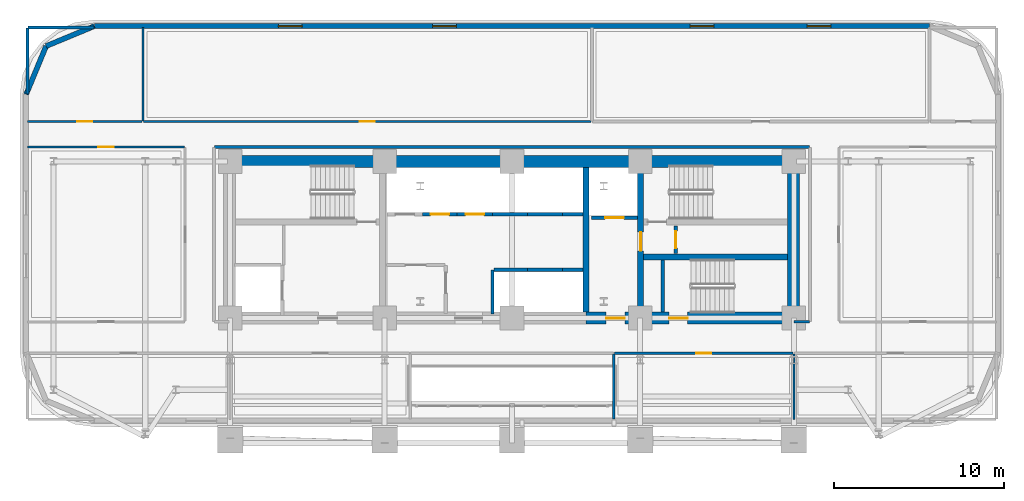
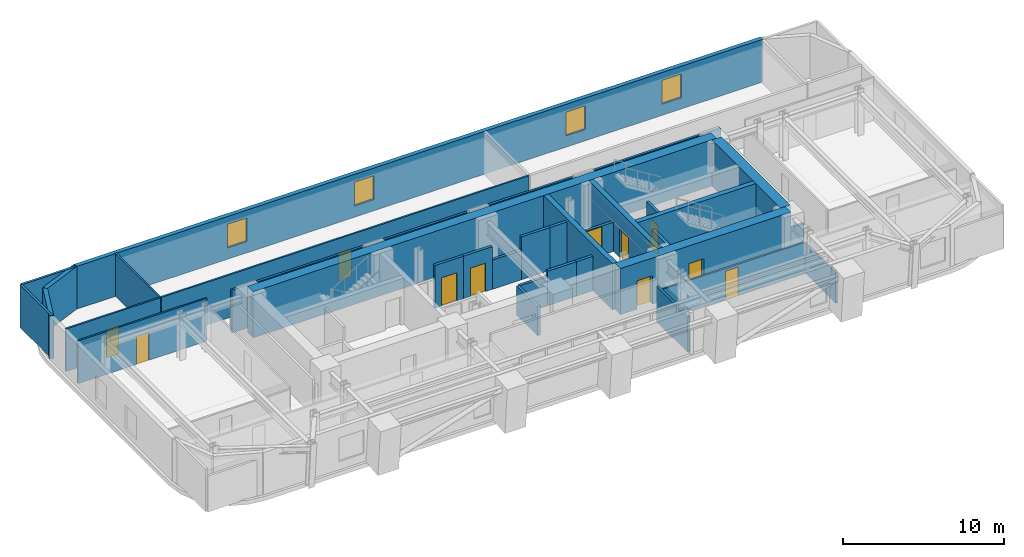
# One storey, part 9 of 14: 32 walls, 11 doors, 4 windows, 15 openings.
"""IFC4 building model written with IfcOpenShell, lengths in metres."""

from ifc_helpers import new_model, si_unit, direction, frame, frame_2d, origin, place, context, subcontext, project, spatial, rectangle, extrude, material, layer, layer_set, type_object, element, fill, save


model = new_model("IFC4")

# Units and contexts
model_context = context("Model", 3, precision=1e-05, world=origin(), true_north=direction((0.0, 1.0)))
body_context = subcontext(model_context, "Body", "Model", "MODEL_VIEW")
ifc_project = project(units=[si_unit("LENGTHUNIT", "METRE"), si_unit("AREAUNIT", "SQUARE_METRE"), si_unit("VOLUMEUNIT", "CUBIC_METRE"), si_unit("PLANEANGLEUNIT", "RADIAN"), si_unit("MASSUNIT", "GRAM", prefix="KILO")], contexts=[model_context])

# Site, building, storey
site_placement = place(None, origin())
site = spatial("IfcSite", under=ifc_project, at=site_placement, CompositionType="ELEMENT")
building_placement = place(site_placement, origin())
building = spatial("IfcBuilding", under=site, at=building_placement, Name="Zarnavel Station Tower", CompositionType="ELEMENT")
storey_placement = place(building_placement, frame((0.0, 0.0, 60.5)))
storey = spatial("IfcBuildingStorey", under=building, at=storey_placement, Name="L16", CompositionType="ELEMENT", Elevation=60.5)

# Wall
ifc_material_1 = material(Name="Concrete C50/60", Category="concrete")
ifc_layer_1 = layer(ifc_material_1, 0.35009765625)
ifc_layer_set_1 = layer_set([ifc_layer_1], Name="CW_350")
wall_type_1 = type_object("IfcWallType", Name="CW_350", PredefinedType="SHEAR", material=ifc_layer_set_1)
wall_1_placement = place(storey_placement, frame((33.14990234375, 28.169921875, 0.0), z_axis=(0.0, 0.0, 1.0), x_axis=(0.0, 1.0, 0.0)))
element("IfcWall", 1, at=wall_1_placement, inside=storey, type_object=wall_type_1, Name="L16 Rear Core Shear Wall DIV-E", PredefinedType="SHEAR", context=body_context, shape_type="SweptSolid", body=[
    extrude(rectangle(XDim=8.530029296875, YDim=0.35009765625, at=frame_2d((4.26513671875, 0.0))), origin(), (0.0, 0.0, 1.0), 3.5),
])

# Wall, opening, door
wall_2_placement = place(storey_placement, frame((36.3798828125, 28.169921875, 0.0), z_axis=(0.0, 0.0, 1.0), x_axis=(0.0, 1.0, 0.0)))
wall_2 = element("IfcWall", 2, at=wall_2_placement, inside=storey, type_object=wall_type_1, Name="L16 Rear Core Shear Wall DIV-S2", PredefinedType="SHEAR", context=body_context, shape_type="SweptSolid", body=[
    extrude(rectangle(XDim=8.530029296875, YDim=0.35009765625, at=frame_2d((4.26513671875, 0.0))), origin(), (0.0, 0.0, 1.0), 3.5),
])
opening_1_placement = place(wall_2_placement, frame((3.610107421875, 0.0, 0.0)))
opening_1 = element("IfcOpeningElement", 3, at=opening_1_placement, cuts=wall_2, Name="Opening FD01", PredefinedType="OPENING", context=body_context, shape_type="SweptSolid", body=[
    extrude(rectangle(XDim=1.10009765625, YDim=2.14990234375, at=frame_2d((0.550048828125, 1.074951171875))), frame((0.0, 0.18505859375, 0.0), z_axis=(0.0, -1.0, 0.0), x_axis=(1.0, 0.0, 0.0)), (0.0, 0.0, 1.0), 0.3701171875),
])
ifc_material_2 = material(Name="Painted Galvanised Steel and Hardwood Leaf", Category="steel")
door_type_1 = type_object("IfcDoorType", Name="ID_STAIR_1100", OperationType="NOTDEFINED", PredefinedType="DOOR", material=ifc_material_2)
door_1_placement = place(opening_1_placement, origin())
door_1 = element("IfcDoor", 4, at=door_1_placement, inside=storey, type_object=door_type_1, Name="L16 East Stair Vestibule Fire Door", OperationType="SINGLE_SWING_LEFT", OverallHeight=2.14990234375, OverallWidth=1.10009765625, PredefinedType="DOOR", context=body_context, shape_type="SweptSolid", body=[
    extrude(rectangle(XDim=1.10009765625, YDim=2.14990234375, at=frame_2d((0.550048828125, 1.074951171875))), frame((0.0, 0.02490234375, 0.0), z_axis=(0.0, -1.0, 0.0), x_axis=(1.0, 0.0, 0.0)), (0.0, 0.0, 1.0), 0.050048828125),
])
fill(opening_1, door_1)

# Walls
wall_3_placement = place(storey_placement, frame((36.554931640625, 31.419921875, 0.0), z_axis=(0.0, 0.0, 1.0), x_axis=(1.0, 0.0, 0.0)))
element("IfcWall", 5, at=wall_3_placement, inside=storey, type_object=wall_type_1, Name="L16 Rear Core Shear Wall DIV-H3", PredefinedType="SHEAR", context=body_context, shape_type="SweptSolid", body=[
    extrude(rectangle(XDim=8.47509765625, YDim=0.35009765625, at=frame_2d((4.237548828125, 0.0))), origin(), (0.0, 0.0, 1.0), 3.5),
])
ifc_material_3 = material(Name="Concrete C60/75", Category="concrete")
ifc_layer_2 = layer(ifc_material_3, 0.699951171875)
ifc_layer_set_2 = layer_set([ifc_layer_2], Name="CW_700")
wall_type_2 = type_object("IfcWallType", Name="CW_700", PredefinedType="SHEAR", material=ifc_layer_set_2)
wall_4_placement = place(storey_placement, frame((12.14990234375, 37.050048828125, 0.0), z_axis=(0.0, 0.0, 1.0), x_axis=(1.0, 0.0, 0.0)))
element("IfcWall", 6, at=wall_4_placement, inside=storey, type_object=wall_type_2, Name="L16 Rear Core Shear Wall N", PredefinedType="SHEAR", context=body_context, shape_type="SweptSolid", body=[
    extrude(rectangle(XDim=33.22998046875, YDim=0.699951171875, at=frame_2d((16.614990234375, 0.0))), origin(), (0.0, 0.0, 1.0), 3.5),
])

# Wall, openings, doors
wall_5_placement = place(storey_placement, frame((45.3798828125, 27.820068359375, 0.0), z_axis=(0.0, 0.0, 1.0), x_axis=(-1.0, 0.0, 0.0)))
wall_5 = element("IfcWall", 7, at=wall_5_placement, inside=storey, type_object=wall_type_2, Name="L16 Rear Core Shear Wall S-E", PredefinedType="SHEAR", context=body_context, shape_type="SweptSolid", body=[
    extrude(rectangle(XDim=12.22998046875, YDim=0.699951171875, at=frame_2d((6.114990234375, 0.0))), origin(), (0.0, 0.0, 1.0), 3.5),
])
opening_2_placement = place(wall_5_placement, frame((9.929931640625, 0.0, 0.0)))
opening_2 = element("IfcOpeningElement", 8, at=opening_2_placement, cuts=wall_5, Name="Opening FD01", PredefinedType="OPENING", context=body_context, shape_type="SweptSolid", body=[
    extrude(rectangle(XDim=1.10009765625, YDim=2.14990234375, at=frame_2d((0.550048828125, 1.074951171875))), frame((0.0, 0.35986328125, 0.0), z_axis=(0.0, -1.0, 0.0), x_axis=(1.0, 0.0, 0.0)), (0.0, 0.0, 1.0), 0.719970703125),
])
opening_3_placement = place(wall_5_placement, frame((6.22998046875, 0.0, 0.0)))
opening_3 = element("IfcOpeningElement", 9, at=opening_3_placement, cuts=wall_5, Name="Opening FD01", PredefinedType="OPENING", context=body_context, shape_type="SweptSolid", body=[
    extrude(rectangle(XDim=1.10009765625, YDim=2.14990234375, at=frame_2d((0.550048828125, 1.074951171875))), frame((0.0, 0.35986328125, 0.0), z_axis=(0.0, -1.0, 0.0), x_axis=(1.0, 0.0, 0.0)), (0.0, 0.0, 1.0), 0.719970703125),
])
door_2_placement = place(opening_2_placement, origin())
door_2 = element("IfcDoor", 10, at=door_2_placement, inside=storey, type_object=door_type_1, Name="L16 East Firefighting Lobby Door", OperationType="SINGLE_SWING_LEFT", OverallHeight=2.14990234375, OverallWidth=1.10009765625, PredefinedType="DOOR", context=body_context, shape_type="SweptSolid", body=[
    extrude(rectangle(XDim=1.10009765625, YDim=2.14990234375, at=frame_2d((0.550048828125, 1.074951171875))), frame((0.0, 0.02490234375, 0.0), z_axis=(0.0, -1.0, 0.0), x_axis=(1.0, 0.0, 0.0)), (0.0, 0.0, 1.0), 0.050048828125),
])
fill(opening_2, door_2)
door_3_placement = place(opening_3_placement, origin())
door_3 = element("IfcDoor", 11, at=door_3_placement, inside=storey, type_object=door_type_1, Name="L16 Stair ST3 Corridor Fire Door", OperationType="SINGLE_SWING_RIGHT", OverallHeight=2.14990234375, OverallWidth=1.10009765625, PredefinedType="DOOR", context=body_context, shape_type="SweptSolid", body=[
    extrude(rectangle(XDim=1.10009765625, YDim=2.14990234375, at=frame_2d((0.550048828125, 1.074951171875))), frame((0.0, 0.02490234375, 0.0), z_axis=(0.0, -1.0, 0.0), x_axis=(1.0, 0.0, 0.0)), (0.0, 0.0, 1.0), 0.050048828125),
])
fill(opening_3, door_3)

# Wall
wall_6_placement = place(storey_placement, frame((45.3798828125, 28.169921875, 0.0), z_axis=(0.0, 0.0, 1.0), x_axis=(0.0, 1.0, 0.0)))
element("IfcWall", 12, at=wall_6_placement, inside=storey, type_object=wall_type_2, Name="L16 Rear Core Shear Wall E", PredefinedType="SHEAR", context=body_context, shape_type="SweptSolid", body=[
    extrude(rectangle(XDim=8.530029296875, YDim=0.699951171875, at=frame_2d((4.26513671875, 0.0))), origin(), (0.0, 0.0, 1.0), 3.5),
])

# Wall, openings, windows
ifc_material_4 = material(Name="Precast concrete C45/55 (Dark Basalt Finish)", Category="masonry")
ifc_layer_3 = layer(ifc_material_4, 0.300048828125)
ifc_layer_set_3 = layer_set([ifc_layer_3], Name="EW_BASALT_300")
wall_type_3 = type_object("IfcWallType", Name="EW_BASALT_300", PredefinedType="SOLIDWALL", material=ifc_layer_set_3)
wall_7_placement = place(storey_placement, frame((4.199951171875, 45.02001953125, 0.0), z_axis=(0.0, 0.0, 1.0), x_axis=(1.0, 0.0, 0.0)))
wall_7 = element("IfcWall", 13, at=wall_7_placement, inside=storey, type_object=wall_type_3, Name="L16 Exterior Basalt Masonry Frame Wall 06", PredefinedType="SOLIDWALL", context=body_context, shape_type="SweptSolid", body=[
    extrude(rectangle(XDim=49.199951171875, YDim=0.300048828125, at=frame_2d((24.60009765625, 0.0))), origin(), (0.0, 0.0, 1.0), 3.239990234375),
])
opening_4_placement = place(wall_7_placement, frame((10.840087890625, 0.0, 0.85009765625)))
opening_4 = element("IfcOpeningElement", 14, at=opening_4_placement, cuts=wall_7, Name="Opening WN01", PredefinedType="OPENING", context=body_context, shape_type="SweptSolid", body=[
    extrude(rectangle(XDim=1.39990234375, YDim=1.800048828125, at=frame_2d((0.699951171875, 0.89990234375))), frame((0.0, 0.159912109375, 0.0), z_axis=(0.0, -1.0, 0.0), x_axis=(1.0, 0.0, 0.0)), (0.0, 0.0, 1.0), 0.320068359375),
])
opening_5_placement = place(wall_7_placement, frame((19.919921875, 0.0, 0.85009765625)))
opening_5 = element("IfcOpeningElement", 15, at=opening_5_placement, cuts=wall_7, Name="Opening WN01", PredefinedType="OPENING", context=body_context, shape_type="SweptSolid", body=[
    extrude(rectangle(XDim=1.39990234375, YDim=1.800048828125, at=frame_2d((0.699951171875, 0.89990234375))), frame((0.0, 0.159912109375, 0.0), z_axis=(0.0, -1.0, 0.0), x_axis=(1.0, 0.0, 0.0)), (0.0, 0.0, 1.0), 0.320068359375),
])
opening_6_placement = place(wall_7_placement, frame((35.09326171875, 0.0, 0.85009765625)))
opening_6 = element("IfcOpeningElement", 16, at=opening_6_placement, cuts=wall_7, Name="Opening WN01", PredefinedType="OPENING", context=body_context, shape_type="SweptSolid", body=[
    extrude(rectangle(XDim=1.39990234375, YDim=1.800048828125, at=frame_2d((0.699951171875, 0.89990234375))), frame((0.0, 0.159912109375, 0.0), z_axis=(0.0, -1.0, 0.0), x_axis=(1.0, 0.0, 0.0)), (0.0, 0.0, 1.0), 0.320068359375),
])
opening_7_placement = place(wall_7_placement, frame((41.98681640625, 0.0, 0.85009765625)))
opening_7 = element("IfcOpeningElement", 17, at=opening_7_placement, cuts=wall_7, Name="Opening WN01", PredefinedType="OPENING", context=body_context, shape_type="SweptSolid", body=[
    extrude(rectangle(XDim=1.39990234375, YDim=1.800048828125, at=frame_2d((0.699951171875, 0.89990234375))), frame((0.0, 0.159912109375, 0.0), z_axis=(0.0, -1.0, 0.0), x_axis=(1.0, 0.0, 0.0)), (0.0, 0.0, 1.0), 0.320068359375),
])
ifc_material_5 = material(Name="Thermally Broken Black Aluminium and Low-E Dark Glass", Category="aluminium")
window_type = type_object("IfcWindowType", Name="WN_1400x1800", PartitioningType="DOUBLE_PANEL_VERTICAL", PredefinedType="WINDOW", material=ifc_material_5)
window_1_placement = place(opening_4_placement, origin())
window_1 = element("IfcWindow", 18, at=window_1_placement, inside=storey, type_object=window_type, Name="L16 Recessed Facade Window 01", OverallHeight=1.800048828125, OverallWidth=1.39990234375, PartitioningType="SINGLE_PANEL", PredefinedType="WINDOW", context=body_context, shape_type="SweptSolid", body=[
    extrude(rectangle(XDim=1.39990234375, YDim=1.800048828125, at=frame_2d((0.699951171875, 0.89990234375))), frame((0.0, 0.030029296875, 0.0), z_axis=(0.0, -1.0, 0.0), x_axis=(1.0, 0.0, 0.0)), (0.0, 0.0, 1.0), 0.06005859375),
])
fill(opening_4, window_1)
window_2_placement = place(opening_5_placement, origin())
window_2 = element("IfcWindow", 19, at=window_2_placement, inside=storey, type_object=window_type, Name="L16 Recessed Facade Window 02", OverallHeight=1.800048828125, OverallWidth=1.39990234375, PartitioningType="SINGLE_PANEL", PredefinedType="WINDOW", context=body_context, shape_type="SweptSolid", body=[
    extrude(rectangle(XDim=1.39990234375, YDim=1.800048828125, at=frame_2d((0.699951171875, 0.89990234375))), frame((0.0, 0.030029296875, 0.0), z_axis=(0.0, -1.0, 0.0), x_axis=(1.0, 0.0, 0.0)), (0.0, 0.0, 1.0), 0.06005859375),
])
fill(opening_5, window_2)
window_3_placement = place(opening_6_placement, origin())
window_3 = element("IfcWindow", 20, at=window_3_placement, inside=storey, type_object=window_type, Name="L16 Recessed Facade Window 03", OverallHeight=1.800048828125, OverallWidth=1.39990234375, PartitioningType="SINGLE_PANEL", PredefinedType="WINDOW", context=body_context, shape_type="SweptSolid", body=[
    extrude(rectangle(XDim=1.39990234375, YDim=1.800048828125, at=frame_2d((0.699951171875, 0.89990234375))), frame((0.0, 0.030029296875, 0.0), z_axis=(0.0, -1.0, 0.0), x_axis=(1.0, 0.0, 0.0)), (0.0, 0.0, 1.0), 0.06005859375),
])
fill(opening_6, window_3)
window_4_placement = place(opening_7_placement, origin())
window_4 = element("IfcWindow", 21, at=window_4_placement, inside=storey, type_object=window_type, Name="L16 Recessed Facade Window 04", OverallHeight=1.800048828125, OverallWidth=1.39990234375, PartitioningType="SINGLE_PANEL", PredefinedType="WINDOW", context=body_context, shape_type="SweptSolid", body=[
    extrude(rectangle(XDim=1.39990234375, YDim=1.800048828125, at=frame_2d((0.699951171875, 0.89990234375))), frame((0.0, 0.030029296875, 0.0), z_axis=(0.0, -1.0, 0.0), x_axis=(1.0, 0.0, 0.0)), (0.0, 0.0, 1.0), 0.06005859375),
])
fill(opening_7, window_4)

# Walls
for number, where, z_axis, x_axis, name in (
    (22, (1.357421875, 43.842529296875, 0.0), (0.0, 0.0, 1.0), (0.923870793506, 0.382704529509, 0.0), "L16 Exterior Basalt Masonry Frame Wall 07"),
    (23, (0.179931640625, 41.0, 0.0), (0.0, 0.0, 1.0), (0.382704529509, 0.923870793506, 0.0), "L16 Exterior Basalt Masonry Frame Wall 08"),
):
    element("IfcWall", number, at=place(storey_placement, frame(where, z_axis=z_axis, x_axis=x_axis)), inside=storey, type_object=wall_type_3, Name=name, PredefinedType="SOLIDWALL", context=body_context, shape_type="SweptSolid", body=[
        extrude(rectangle(XDim=3.07666015625, YDim=0.300048828125, at=frame_2d((1.538330078125, 0.0))), origin(), (0.0, 0.0, 1.0), 3.239990234375),
    ])
ifc_material_6 = material(Name="Gypsum Twin-Stud Acoustic Fire Partition", Category="concrete")
ifc_layer_4 = layer(ifc_material_6, 0.159912109375)
ifc_layer_set_4 = layer_set([ifc_layer_4], Name="PT_DEMISE_160")
wall_type_4 = type_object("IfcWallType", Name="PT_DEMISE_160", PredefinedType="PARTITIONING", material=ifc_layer_set_4)
wall_8_placement = place(storey_placement, frame((45.409912109375, 27.60009765625, 0.0), z_axis=(0.0, 0.0, 1.0), x_axis=(1.0, 0.0, 0.0)))
element("IfcWall", 24, at=wall_8_placement, inside=storey, type_object=wall_type_4, Name="L16 Enclosure Wall COR-S", PredefinedType="PARTITIONING", context=body_context, shape_type="SweptSolid", body=[
    extrude(rectangle(XDim=0.91015625, YDim=0.159912109375, at=frame_2d((0.455078125, 0.0))), origin(), (0.0, 0.0, 1.0), 2.280029296875),
])
wall_9_placement = place(storey_placement, frame((11.280029296875, 37.89990234375, 0.0), z_axis=(0.0, 0.0, 1.0), x_axis=(1.0, 0.0, 0.0)))
element("IfcWall", 25, at=wall_9_placement, inside=storey, type_object=wall_type_4, Name="L16 Enclosure Wall COR-N", PredefinedType="PARTITIONING", context=body_context, shape_type="SweptSolid", body=[
    extrude(rectangle(XDim=35.0400390625, YDim=0.159912109375, at=frame_2d((17.52001953125, 0.0))), origin(), (0.0, 0.0, 1.0), 3.239990234375),
])
for number, where, z_axis, x_axis, name in (
    (26, (0.2900390625, 44.93994140625, 0.0), (0.0, 0.0, 1.0), (1.0, 0.0, 0.0), "L16 Enclosure Wall HSKP"),
    (27, (0.260009765625, 41.030029296875, 0.0), (0.0, 0.0, 1.0), (0.0, 1.0, 0.0), "L16 Enclosure Wall HSKP"),
):
    element("IfcWall", number, at=place(storey_placement, frame(where, z_axis=z_axis, x_axis=x_axis)), inside=storey, type_object=wall_type_4, Name=name, PredefinedType="PARTITIONING", context=body_context, shape_type="SweptSolid", body=[
        extrude(rectangle(XDim=3.8798828125, YDim=0.159912109375, at=frame_2d((1.93994140625, 0.0))), origin(), (0.0, 0.0, 1.0), 3.239990234375),
    ])
wall_10_placement = place(storey_placement, frame((34.800048828125, 21.889892578125, 0.0), z_axis=(0.0, 0.0, 1.0), x_axis=(0.0, 1.0, 0.0)))
element("IfcWall", 28, at=wall_10_placement, inside=storey, type_object=wall_type_4, Name="L16 Enclosure Wall Z1GYM", PredefinedType="PARTITIONING", context=body_context, shape_type="SweptSolid", body=[
    extrude(rectangle(XDim=3.830078125, YDim=0.159912109375, at=frame_2d((1.9150390625, 0.0))), origin(), (0.0, 0.0, 1.0), 2.679931640625),
])

# Wall, opening, door
ifc_material_7 = material(Name="Gypsum Metal-Stud Interior Partition", Category="concrete")
ifc_layer_5 = layer(ifc_material_7, 0.1201171875)
ifc_layer_set_5 = layer_set([ifc_layer_5], Name="PT_ROOM_120")
wall_type_5 = type_object("IfcWallType", Name="PT_ROOM_120", PredefinedType="PARTITIONING", material=ifc_layer_set_5)
wall_11_placement = place(storey_placement, frame((34.840087890625, 25.75, 0.0), z_axis=(0.0, 0.0, 1.0), x_axis=(1.0, 0.0, 0.0)))
wall_11 = element("IfcWall", 29, at=wall_11_placement, inside=storey, type_object=wall_type_5, Name="L16 Partition COR-S-Z1GYM", PredefinedType="PARTITIONING", context=body_context, shape_type="SweptSolid", body=[
    extrude(rectangle(XDim=10.52001953125, YDim=0.1201171875, at=frame_2d((5.260009765625, 0.0))), origin(), (0.0, 0.0, 1.0), 2.31005859375),
])
opening_8_placement = place(wall_11_placement, frame((4.81005859375, 0.0, 0.0)))
opening_8 = element("IfcOpeningElement", 30, at=opening_8_placement, cuts=wall_11, Name="Opening ID01", PredefinedType="OPENING", context=body_context, shape_type="SweptSolid", body=[
    extrude(rectangle(XDim=0.89990234375, YDim=2.10009765625, at=frame_2d((0.449951171875, 1.050048828125))), frame((0.0, 0.070068359375, 0.0), z_axis=(0.0, -1.0, 0.0), x_axis=(1.0, 0.0, 0.0)), (0.0, 0.0, 1.0), 0.14013671875),
])
ifc_material_8 = material(Name="Painted Galvanised Steel and Hardwood Leaf", Category="steel")
door_type_2 = type_object("IfcDoorType", Name="ID_ROOM_900", OperationType="NOTDEFINED", PredefinedType="DOOR", material=ifc_material_8)
door_4_placement = place(opening_8_placement, origin())
door_4 = element("IfcDoor", 31, at=door_4_placement, inside=storey, type_object=door_type_2, Name="L16 Door COR-S-Z1GYM", OperationType="SINGLE_SWING_LEFT", OverallHeight=2.10009765625, OverallWidth=0.89990234375, PredefinedType="DOOR", context=body_context, shape_type="SweptSolid", body=[
    extrude(rectangle(XDim=0.89990234375, YDim=2.10009765625, at=frame_2d((0.449951171875, 1.050048828125))), frame((0.0, 0.02490234375, 0.0), z_axis=(0.0, -1.0, 0.0), x_axis=(1.0, 0.0, 0.0)), (0.0, 0.0, 1.0), 0.050048828125),
])
fill(opening_8, door_4)

wall_12_placement = place(storey_placement, frame((0.260009765625, 37.89990234375, 0.0), z_axis=(0.0, 0.0, 1.0), x_axis=(1.0, 0.0, 0.0)))
wall_12 = element("IfcWall", 32, at=wall_12_placement, inside=storey, type_object=wall_type_5, Name="L16 Partition COR-N-FNW4", PredefinedType="PARTITIONING", context=body_context, shape_type="SweptSolid", body=[
    extrude(rectangle(XDim=9.25, YDim=0.1201171875, at=frame_2d((4.625, 0.0))), origin(), (0.0, 0.0, 1.0), 3.239990234375),
])
opening_9_placement = place(wall_12_placement, frame((4.175048828125, 0.0, 0.0)))
opening_9 = element("IfcOpeningElement", 33, at=opening_9_placement, cuts=wall_12, Name="Opening ID01", PredefinedType="OPENING", context=body_context, shape_type="SweptSolid", body=[
    extrude(rectangle(XDim=0.89990234375, YDim=2.10009765625, at=frame_2d((0.449951171875, 1.050048828125))), frame((0.0, 0.070068359375, 0.0), z_axis=(0.0, -1.0, 0.0), x_axis=(1.0, 0.0, 0.0)), (0.0, 0.0, 1.0), 0.14013671875),
])
door_5_placement = place(opening_9_placement, origin())
door_5 = element("IfcDoor", 34, at=door_5_placement, inside=storey, type_object=door_type_2, Name="L16 Door COR-N-FNW4", OperationType="SINGLE_SWING_LEFT", OverallHeight=2.10009765625, OverallWidth=0.89990234375, PredefinedType="DOOR", context=body_context, shape_type="SweptSolid", body=[
    extrude(rectangle(XDim=0.89990234375, YDim=2.10009765625, at=frame_2d((0.449951171875, 1.050048828125))), frame((0.0, 0.02490234375, 0.0), z_axis=(0.0, -1.0, 0.0), x_axis=(1.0, 0.0, 0.0)), (0.0, 0.0, 1.0), 0.050048828125),
])
fill(opening_9, door_5)

wall_13_placement = place(storey_placement, frame((0.260009765625, 39.39990234375, 0.0), z_axis=(0.0, 0.0, 1.0), x_axis=(1.0, 0.0, 0.0)))
wall_13 = element("IfcWall", 35, at=wall_13_placement, inside=storey, type_object=wall_type_5, Name="L16 Partition COR-N-HSKP", PredefinedType="PARTITIONING", context=body_context, shape_type="SweptSolid", body=[
    extrude(rectangle(XDim=6.760009765625, YDim=0.1201171875, at=frame_2d((3.3798828125, 0.0))), origin(), (0.0, 0.0, 1.0), 3.239990234375),
])
opening_10_placement = place(wall_13_placement, frame((2.929931640625, 0.0, 0.0)))
opening_10 = element("IfcOpeningElement", 36, at=opening_10_placement, cuts=wall_13, Name="Opening ID01", PredefinedType="OPENING", context=body_context, shape_type="SweptSolid", body=[
    extrude(rectangle(XDim=0.89990234375, YDim=2.10009765625, at=frame_2d((0.449951171875, 1.050048828125))), frame((0.0, 0.070068359375, 0.0), z_axis=(0.0, -1.0, 0.0), x_axis=(1.0, 0.0, 0.0)), (0.0, 0.0, 1.0), 0.14013671875),
])
door_6_placement = place(opening_10_placement, origin())
door_6 = element("IfcDoor", 37, at=door_6_placement, inside=storey, type_object=door_type_2, Name="L16 Door COR-N-HSKP", OperationType="SINGLE_SWING_LEFT", OverallHeight=2.10009765625, OverallWidth=0.89990234375, PredefinedType="DOOR", context=body_context, shape_type="SweptSolid", body=[
    extrude(rectangle(XDim=0.89990234375, YDim=2.10009765625, at=frame_2d((0.449951171875, 1.050048828125))), frame((0.0, 0.02490234375, 0.0), z_axis=(0.0, -1.0, 0.0), x_axis=(1.0, 0.0, 0.0)), (0.0, 0.0, 1.0), 0.050048828125),
])
fill(opening_10, door_6)

wall_14_placement = place(storey_placement, frame((7.10009765625, 39.39990234375, 0.0), z_axis=(0.0, 0.0, 1.0), x_axis=(1.0, 0.0, 0.0)))
wall_14 = element("IfcWall", 38, at=wall_14_placement, inside=storey, type_object=wall_type_5, Name="L16 Partition COR-N-NL4A", PredefinedType="PARTITIONING", context=body_context, shape_type="SweptSolid", body=[
    extrude(rectangle(XDim=26.35986328125, YDim=0.1201171875, at=frame_2d((13.179931640625, 0.0))), origin(), (0.0, 0.0, 1.0), 3.239990234375),
])
opening_11_placement = place(wall_14_placement, frame((12.72998046875, 0.0, 0.0)))
opening_11 = element("IfcOpeningElement", 39, at=opening_11_placement, cuts=wall_14, Name="Opening ID01", PredefinedType="OPENING", context=body_context, shape_type="SweptSolid", body=[
    extrude(rectangle(XDim=0.89990234375, YDim=2.10009765625, at=frame_2d((0.449951171875, 1.050048828125))), frame((0.0, 0.070068359375, 0.0), z_axis=(0.0, -1.0, 0.0), x_axis=(1.0, 0.0, 0.0)), (0.0, 0.0, 1.0), 0.14013671875),
])
door_7_placement = place(opening_11_placement, origin())
door_7 = element("IfcDoor", 40, at=door_7_placement, inside=storey, type_object=door_type_2, Name="L16 Door COR-N-NL4A", OperationType="SINGLE_SWING_RIGHT", OverallHeight=2.10009765625, OverallWidth=0.89990234375, PredefinedType="DOOR", context=body_context, shape_type="SweptSolid", body=[
    extrude(rectangle(XDim=0.89990234375, YDim=2.10009765625, at=frame_2d((0.449951171875, 1.050048828125))), frame((0.0, 0.02490234375, 0.0), z_axis=(0.0, -1.0, 0.0), x_axis=(1.0, 0.0, 0.0)), (0.0, 0.0, 1.0), 0.050048828125),
])
fill(opening_11, door_7)

# Walls
wall_15_placement = place(storey_placement, frame((7.06005859375, 39.43994140625, 0.0), z_axis=(0.0, 0.0, 1.0), x_axis=(0.0, 1.0, 0.0)))
element("IfcWall", 41, at=wall_15_placement, inside=storey, type_object=wall_type_5, Name="L16 Partition HSKP-NL4A", PredefinedType="PARTITIONING", context=body_context, shape_type="SweptSolid", body=[
    extrude(rectangle(XDim=5.5, YDim=0.1201171875, at=frame_2d((2.75, 0.0))), origin(), (0.0, 0.0, 1.0), 3.239990234375),
])
wall_16_placement = place(storey_placement, frame((45.39990234375, 21.860107421875, 0.0), z_axis=(0.0, 0.0, 1.0), x_axis=(0.0, 1.0, 0.0)))
element("IfcWall", 42, at=wall_16_placement, inside=storey, type_object=wall_type_5, Name="L16 Partition Z1GYM-Z1TEA", PredefinedType="PARTITIONING", context=body_context, shape_type="SweptSolid", body=[
    extrude(rectangle(XDim=3.849853515625, YDim=0.1201171875, at=frame_2d((1.9248046875, 0.0))), origin(), (0.0, 0.0, 1.0), 2.31005859375),
])

# Wall, opening, door
ifc_material_9 = material(Name="Precast concrete C45/55 (Fire Shaft Blockwork)", Category="masonry")
ifc_layer_6 = layer(ifc_material_9, 0.199951171875)
ifc_layer_set_6 = layer_set([ifc_layer_6], Name="PT_SHAFT_200")
wall_type_6 = type_object("IfcWallType", Name="PT_SHAFT_200", PredefinedType="PARTITIONING", material=ifc_layer_set_6)
wall_17_placement = place(storey_placement, frame((33.47509765625, 33.72998046875, 0.0), z_axis=(0.0, 0.0, 1.0), x_axis=(1.0, 0.0, 0.0)))
wall_17 = element("IfcWall", 43, at=wall_17_placement, inside=storey, type_object=wall_type_6, Name="L16 Lift FFL-02 Shaft Front Wall", PredefinedType="PARTITIONING", context=body_context, shape_type="SweptSolid", body=[
    extrude(rectangle(XDim=2.724853515625, YDim=0.199951171875, at=frame_2d((1.3623046875, 0.0))), origin(), (0.0, 0.0, 1.0), 2.2119140625),
])
opening_12_placement = place(wall_17_placement, frame((0.8125, 0.0, 0.0)))
opening_12 = element("IfcOpeningElement", 44, at=opening_12_placement, cuts=wall_17, Name="Opening LD01", PredefinedType="OPENING", context=body_context, shape_type="SweptSolid", body=[
    extrude(rectangle(XDim=1.10009765625, YDim=2.14990234375, at=frame_2d((0.550048828125, 1.074951171875))), frame((0.0, 0.10986328125, 0.0), z_axis=(0.0, -1.0, 0.0), x_axis=(1.0, 0.0, 0.0)), (0.0, 0.0, 1.0), 0.219970703125),
])
ifc_material_10 = material(Name="Painted Galvanised Steel and Hardwood Leaf", Category="steel")
door_type_3 = type_object("IfcDoorType", Name="LD_FF_1100", OperationType="DOUBLE_DOOR_SLIDING", PredefinedType="DOOR", material=ifc_material_10)
door_8_placement = place(opening_12_placement, origin())
door_8 = element("IfcDoor", 45, at=door_8_placement, inside=storey, type_object=door_type_3, Name="L16 Lift FFL-02 Sliding Landing Door", OperationType="DOUBLE_DOOR_SLIDING", OverallHeight=2.14990234375, OverallWidth=1.10009765625, PredefinedType="DOOR", context=body_context, shape_type="SweptSolid", body=[
    extrude(rectangle(XDim=1.10009765625, YDim=2.14990234375, at=frame_2d((0.550048828125, 1.074951171875))), frame((0.0, 0.02490234375, 0.0), z_axis=(0.0, -1.0, 0.0), x_axis=(1.0, 0.0, 0.0)), (0.0, 0.0, 1.0), 0.050048828125),
])
fill(opening_12, door_8)

# Walls
wall_18_placement = place(storey_placement, frame((27.75, 30.669921875, 0.0), z_axis=(0.0, 0.0, 1.0), x_axis=(1.0, 0.0, 0.0)))
element("IfcWall", 46, at=wall_18_placement, inside=storey, type_object=wall_type_6, Name="L16 Lift PL-H1 Shaft Front Wall", PredefinedType="PARTITIONING", context=body_context, shape_type="SweptSolid", body=[
    extrude(rectangle(XDim=1.97509765625, YDim=0.199951171875, at=frame_2d((0.987548828125, 0.0))), origin(), (0.0, 0.0, 1.0), 2.2119140625),
])
wall_19_placement = place(storey_placement, frame((27.64990234375, 28.070068359375, 0.0), z_axis=(0.0, 0.0, 1.0), x_axis=(0.0, 1.0, 0.0)))
element("IfcWall", 47, at=wall_19_placement, inside=storey, type_object=wall_type_6, Name="L16 High-Rise Lift Bank West Shaft Wall", PredefinedType="PARTITIONING", context=body_context, shape_type="SweptSolid", body=[
    extrude(rectangle(XDim=2.579833984375, YDim=0.199951171875, at=frame_2d((1.2900390625, 0.0))), origin(), (0.0, 0.0, 1.0), 2.2119140625),
])
wall_20_placement = place(storey_placement, frame((29.72509765625, 30.669921875, 0.0), z_axis=(0.0, 0.0, 1.0), x_axis=(1.0, 0.0, 0.0)))
element("IfcWall", 48, at=wall_20_placement, inside=storey, type_object=wall_type_6, Name="L16 Lift PL-H2 Shaft Front Wall", PredefinedType="PARTITIONING", context=body_context, shape_type="SweptSolid", body=[
    extrude(rectangle(XDim=2.0498046875, YDim=0.199951171875, at=frame_2d((1.02490234375, 0.0))), origin(), (0.0, 0.0, 1.0), 2.6201171875),
])
wall_21_placement = place(storey_placement, frame((31.77490234375, 30.669921875, 0.0), z_axis=(0.0, 0.0, 1.0), x_axis=(1.0, 0.0, 0.0)))
element("IfcWall", 49, at=wall_21_placement, inside=storey, type_object=wall_type_6, Name="L16 Lift PL-H3 Shaft Front Wall", PredefinedType="PARTITIONING", context=body_context, shape_type="SweptSolid", body=[
    extrude(rectangle(XDim=1.2001953125, YDim=0.199951171875, at=frame_2d((0.60009765625, 0.0))), origin(), (0.0, 0.0, 1.0), 2.6201171875),
])

# Wall, opening, door
wall_22_placement = place(storey_placement, frame((23.52490234375, 33.929931640625, 0.0), z_axis=(0.0, 0.0, 1.0), x_axis=(1.0, 0.0, 0.0)))
wall_22 = element("IfcWall", 50, at=wall_22_placement, inside=storey, type_object=wall_type_6, Name="L16 Lift PL-L2 Shaft Front Wall", PredefinedType="PARTITIONING", context=body_context, shape_type="SweptSolid", body=[
    extrude(rectangle(XDim=2.050048828125, YDim=0.199951171875, at=frame_2d((1.02490234375, 0.0))), origin(), (0.0, 0.0, 1.0), 3.239990234375),
])
opening_13_placement = place(wall_22_placement, frame((0.47509765625, 0.0, 0.0)))
opening_13 = element("IfcOpeningElement", 51, at=opening_13_placement, cuts=wall_22, Name="Opening LD02", PredefinedType="OPENING", context=body_context, shape_type="SweptSolid", body=[
    extrude(rectangle(XDim=1.10009765625, YDim=2.14990234375, at=frame_2d((0.550048828125, 1.074951171875))), frame((0.0, 0.10986328125, 0.0), z_axis=(0.0, -1.0, 0.0), x_axis=(1.0, 0.0, 0.0)), (0.0, 0.0, 1.0), 0.219970703125),
])
ifc_material_11 = material(Name="Painted Galvanised Steel and Hardwood Leaf", Category="steel")
door_type_4 = type_object("IfcDoorType", Name="LD_PAX_1100", OperationType="DOUBLE_DOOR_SLIDING", PredefinedType="DOOR", material=ifc_material_11)
door_9_placement = place(opening_13_placement, origin())
door_9 = element("IfcDoor", 52, at=door_9_placement, inside=storey, type_object=door_type_4, Name="L16 Lift PL-L2 Sliding Landing Door", OperationType="DOUBLE_DOOR_SLIDING", OverallHeight=2.14990234375, OverallWidth=1.10009765625, PredefinedType="DOOR", context=body_context, shape_type="SweptSolid", body=[
    extrude(rectangle(XDim=1.10009765625, YDim=2.14990234375, at=frame_2d((0.550048828125, 1.074951171875))), frame((0.0, 0.02490234375, 0.0), z_axis=(0.0, -1.0, 0.0), x_axis=(1.0, 0.0, 0.0)), (0.0, 0.0, 1.0), 0.050048828125),
])
fill(opening_13, door_9)

wall_23_placement = place(storey_placement, frame((25.574951171875, 33.929931640625, 0.0), z_axis=(0.0, 0.0, 1.0), x_axis=(1.0, 0.0, 0.0)))
wall_23 = element("IfcWall", 53, at=wall_23_placement, inside=storey, type_object=wall_type_6, Name="L16 Lift PL-L3 Shaft Front Wall", PredefinedType="PARTITIONING", context=body_context, shape_type="SweptSolid", body=[
    extrude(rectangle(XDim=2.074951171875, YDim=0.199951171875, at=frame_2d((1.03759765625, 0.0))), origin(), (0.0, 0.0, 1.0), 3.239990234375),
])
opening_14_placement = place(wall_23_placement, frame((0.487548828125, 0.0, 0.0)))
opening_14 = element("IfcOpeningElement", 54, at=opening_14_placement, cuts=wall_23, Name="Opening LD02", PredefinedType="OPENING", context=body_context, shape_type="SweptSolid", body=[
    extrude(rectangle(XDim=1.10009765625, YDim=2.14990234375, at=frame_2d((0.550048828125, 1.074951171875))), frame((0.0, 0.10986328125, 0.0), z_axis=(0.0, -1.0, 0.0), x_axis=(1.0, 0.0, 0.0)), (0.0, 0.0, 1.0), 0.219970703125),
])
door_10_placement = place(opening_14_placement, origin())
door_10 = element("IfcDoor", 55, at=door_10_placement, inside=storey, type_object=door_type_4, Name="L16 Lift PL-L3 Sliding Landing Door", OperationType="DOUBLE_DOOR_SLIDING", OverallHeight=2.14990234375, OverallWidth=1.10009765625, PredefinedType="DOOR", context=body_context, shape_type="SweptSolid", body=[
    extrude(rectangle(XDim=1.10009765625, YDim=2.14990234375, at=frame_2d((0.550048828125, 1.074951171875))), frame((0.0, 0.02490234375, 0.0), z_axis=(0.0, -1.0, 0.0), x_axis=(1.0, 0.0, 0.0)), (0.0, 0.0, 1.0), 0.050048828125),
])
fill(opening_14, door_10)

# Walls
wall_24_placement = place(storey_placement, frame((27.64990234375, 33.929931640625, 0.0), z_axis=(0.0, 0.0, 1.0), x_axis=(1.0, 0.0, 0.0)))
element("IfcWall", 56, at=wall_24_placement, inside=storey, type_object=wall_type_6, Name="L16 Lift PL-M1 Shaft Front Wall", PredefinedType="PARTITIONING", context=body_context, shape_type="SweptSolid", body=[
    extrude(rectangle(XDim=2.0751953125, YDim=0.199951171875, at=frame_2d((1.03759765625, 0.0))), origin(), (0.0, 0.0, 1.0), 2.2119140625),
])
wall_25_placement = place(storey_placement, frame((29.72509765625, 33.929931640625, 0.0), z_axis=(0.0, 0.0, 1.0), x_axis=(1.0, 0.0, 0.0)))
element("IfcWall", 57, at=wall_25_placement, inside=storey, type_object=wall_type_6, Name="L16 Lift PL-M2 Shaft Front Wall", PredefinedType="PARTITIONING", context=body_context, shape_type="SweptSolid", body=[
    extrude(rectangle(XDim=2.0498046875, YDim=0.199951171875, at=frame_2d((1.02490234375, 0.0))), origin(), (0.0, 0.0, 1.0), 3.239990234375),
])
wall_26_placement = place(storey_placement, frame((31.77490234375, 33.929931640625, 0.0), z_axis=(0.0, 0.0, 1.0), x_axis=(1.0, 0.0, 0.0)))
element("IfcWall", 58, at=wall_26_placement, inside=storey, type_object=wall_type_6, Name="L16 Lift PL-M3 Shaft Front Wall", PredefinedType="PARTITIONING", context=body_context, shape_type="SweptSolid", body=[
    extrude(rectangle(XDim=1.2001953125, YDim=0.199951171875, at=frame_2d((0.60009765625, 0.0))), origin(), (0.0, 0.0, 1.0), 3.239990234375),
])
wall_27_placement = place(storey_placement, frame((37.679931640625, 28.169921875, 0.0), z_axis=(0.0, 0.0, 1.0), x_axis=(0.0, 1.0, 0.0)))
element("IfcWall", 59, at=wall_27_placement, inside=storey, type_object=wall_type_6, Name="L16 Stair ST3 West Shaft Wall", PredefinedType="PARTITIONING", context=body_context, shape_type="SweptSolid", body=[
    extrude(rectangle(XDim=3.080078125, YDim=0.199951171875, at=frame_2d((1.5400390625, 0.0))), origin(), (0.0, 0.0, 1.0), 2.6201171875),
])

# Wall, opening, door
wall_28_placement = place(storey_placement, frame((38.449951171875, 31.639892578125, 0.0), z_axis=(0.0, 0.0, 1.0), x_axis=(0.0, 1.0, 0.0)))
wall_28 = element("IfcWall", 60, at=wall_28_placement, inside=storey, type_object=wall_type_6, Name="L16 Partition ESTV-CEA", PredefinedType="PARTITIONING", context=body_context, shape_type="SweptSolid", body=[
    extrude(rectangle(XDim=1.6201171875, YDim=0.199951171875, at=frame_2d((0.81005859375, 0.0))), origin(), (0.0, 0.0, 1.0), 3.239990234375),
])
opening_15_placement = place(wall_28_placement, frame((0.31005859375, 0.0, 0.0)))
opening_15 = element("IfcOpeningElement", 61, at=opening_15_placement, cuts=wall_28, Name="Opening FD02", PredefinedType="OPENING", context=body_context, shape_type="SweptSolid", body=[
    extrude(rectangle(XDim=1.0, YDim=2.14990234375, at=frame_2d((0.5, 1.074951171875))), frame((0.0, 0.10986328125, 0.0), z_axis=(0.0, -1.0, 0.0), x_axis=(1.0, 0.0, 0.0)), (0.0, 0.0, 1.0), 0.219970703125),
])
ifc_material_12 = material(Name="Painted Galvanised Steel and Hardwood Leaf", Category="steel")
door_type_5 = type_object("IfcDoorType", Name="ID_ENTRY_1000", OperationType="NOTDEFINED", PredefinedType="DOOR", material=ifc_material_12)
door_11_placement = place(opening_15_placement, origin())
door_11 = element("IfcDoor", 62, at=door_11_placement, inside=storey, type_object=door_type_5, Name="L16 Door ESTV-CEA", OperationType="SINGLE_SWING_RIGHT", OverallHeight=2.14990234375, OverallWidth=1.0, PredefinedType="DOOR", context=body_context, shape_type="SweptSolid", body=[
    extrude(rectangle(XDim=1.0, YDim=2.14990234375, at=frame_2d((0.5, 1.074951171875))), frame((0.0, 0.02490234375, 0.0), z_axis=(0.0, -1.0, 0.0), x_axis=(1.0, 0.0, 0.0)), (0.0, 0.0, 1.0), 0.050048828125),
])
fill(opening_15, door_11)

save(model, "model.ifc")
